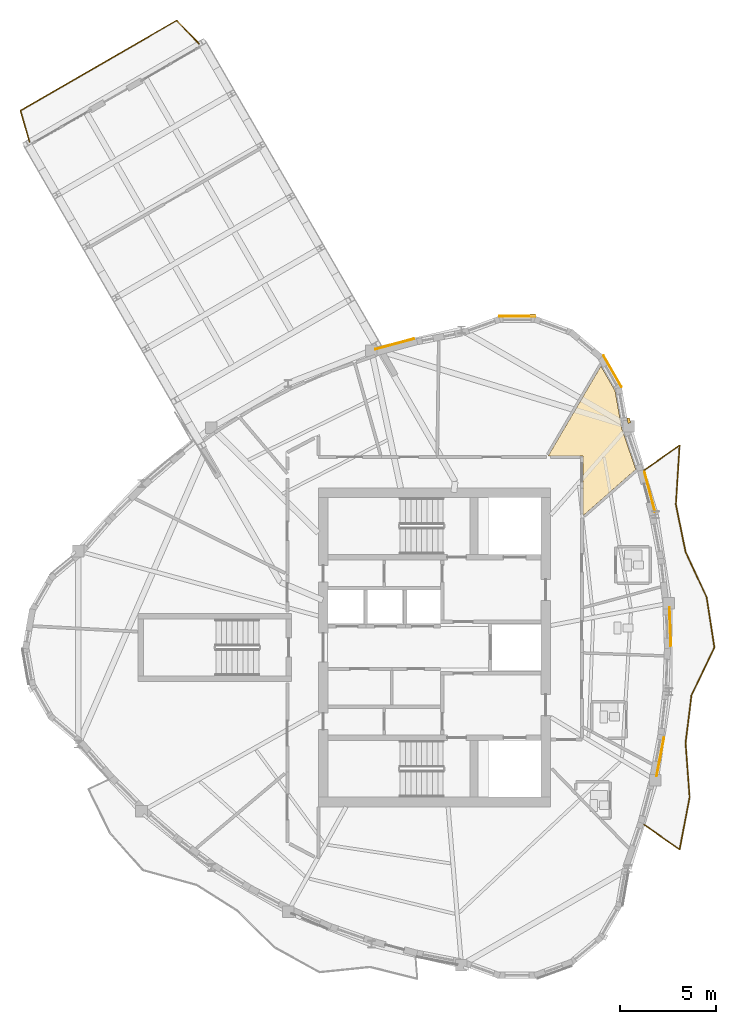
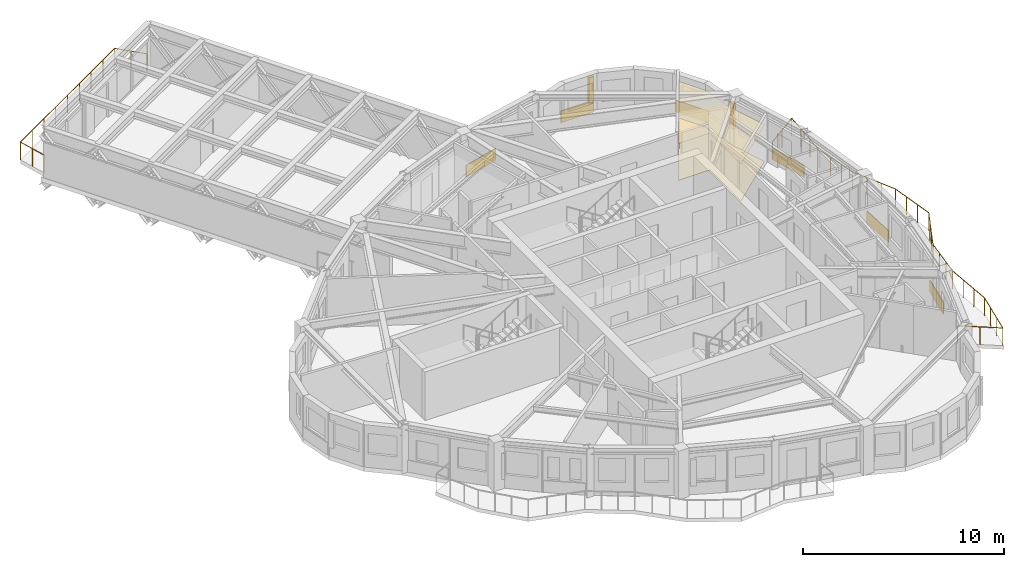
# One storey, part 13 of 14: 8 coverings, 2 railings, 2 shading devices.
"""IFC4 building model written with IfcOpenShell, lengths in metres."""

import ifcopenshell
import ifcopenshell.guid

model = None  # the IFC model being written
_history = None  # IfcOwnerHistory: only IFC2X3 demands one
_inside = {}  # id of a spatial element -> (the spatial element, [elements in it])
_under = {}  # id of a project, library or spatial element -> (it, [spatial elements below it])
_declared = {}  # id of a project -> (the project, [libraries it declares])
_typed = {}  # id of a type object -> (the type object, [elements of that type])
_made_of = {}  # id of a material, layer set ... -> (it, [elements and type objects made of it])


def new_model(schema):
    """Start an empty IFC model of exactly this schema.

    Asked for "IFC4X3", IfcOpenShell would pick the latest addendum, in which some entities
    have other attributes; the version numbers below select the first issue.
    IFC2X3 requires an IfcOwnerHistory on every rooted entity: one is made here for all.
    """
    global model, _history
    if schema == "IFC4X3":
        model = ifcopenshell.file(schema_version=(4, 3, 0, 0))
    else:
        model = ifcopenshell.file(schema=schema)
    _inside.clear()
    _under.clear()
    _declared.clear()
    _typed.clear()
    _made_of.clear()
    _history = None
    if model.schema == "IFC2X3":
        org = make("IfcOrganization", Name="unknown")
        user = make(
            "IfcPersonAndOrganization",
            ThePerson=make("IfcPerson", FamilyName="unknown"),
            TheOrganization=org,
        )
        app = make(
            "IfcApplication",
            ApplicationDeveloper=org,
            Version="unknown",
            ApplicationFullName="unknown",
            ApplicationIdentifier="unknown",
        )
        _history = make(
            "IfcOwnerHistory",
            OwningUser=user,
            OwningApplication=app,
            ChangeAction="ADDED",
            CreationDate=0,
        )
    return model


def make(cls, **values):
    """One entity of the class cls with the attributes given. An attribute that is None is left unset."""
    return model.create_entity(
        cls, **{name: value for name, value in values.items() if value is not None}
    )


def rooted(cls, **values):
    """An entity with a GlobalId (a new one), such as an element, a storey or a relation."""
    return make(cls, GlobalId=ifcopenshell.guid.new(), OwnerHistory=_history, **values)


def si_unit(unit_type, name, prefix=None):
    """IfcSIUnit, for example si_unit("LENGTHUNIT", "METRE", prefix="MILLI")."""
    return make("IfcSIUnit", UnitType=unit_type, Prefix=prefix, Name=name)


def assignment(units):
    """IfcUnitAssignment: the units of a project."""
    return None if units is None else make("IfcUnitAssignment", Units=units)


def point(xyz):
    """IfcCartesianPoint."""
    return None if xyz is None else make("IfcCartesianPoint", Coordinates=xyz)


def direction(xyz):
    """IfcDirection."""
    return None if xyz is None else make("IfcDirection", DirectionRatios=xyz)


def frame(location, z_axis=None, x_axis=None):
    """IfcAxis2Placement3D, a coordinate frame: its origin and axes. An axis left out is left unset."""
    return make(
        "IfcAxis2Placement3D",
        Location=point(location),
        Axis=direction(z_axis),
        RefDirection=direction(x_axis),
    )


def frame_2d(location, x_axis=None):
    """IfcAxis2Placement2D, a coordinate frame in the plane: its origin and x axis."""
    return make(
        "IfcAxis2Placement2D", Location=point(location), RefDirection=direction(x_axis)
    )


def origin():
    """The frame at (0, 0, 0) with its axes left unset."""
    return frame((0.0, 0.0, 0.0))


def origin_2d():
    """The frame at (0, 0) in the plane with its x axis left unset."""
    return frame_2d((0.0, 0.0))


def place(relative_to, where):
    """IfcLocalPlacement: puts the frame where relative to a parent placement (None: the world)."""
    return make(
        "IfcLocalPlacement", PlacementRelTo=relative_to, RelativePlacement=where
    )


def context(
    kind, dimensions, precision=None, world=None, true_north=None, identifier=None
):
    """IfcGeometricRepresentationContext, for example the 3D "Model" context."""
    return make(
        "IfcGeometricRepresentationContext",
        ContextIdentifier=identifier,
        ContextType=kind,
        CoordinateSpaceDimension=dimensions,
        Precision=precision,
        WorldCoordinateSystem=world,
        TrueNorth=true_north,
    )


def subcontext(parent, identifier, kind, view, scale=None):
    """IfcGeometricRepresentationSubContext, for example "Body" below "Model"."""
    return make(
        "IfcGeometricRepresentationSubContext",
        ContextIdentifier=identifier,
        ContextType=kind,
        ParentContext=parent,
        TargetScale=scale,
        TargetView=view,
    )


def project(units=None, contexts=None):
    """IfcProject with its units and contexts."""
    return rooted(
        "IfcProject",
        Name="project",
        RepresentationContexts=contexts,
        UnitsInContext=assignment(units),
    )


def spatial(cls, under=None, at=None, **own):
    """A site, building, storey or space (cls), placed at a placement, below another one or the project."""
    s = rooted(cls, ObjectPlacement=at, **own)
    if under is not None:
        _under.setdefault(under.id(), (under, []))[1].append(s)
    return s


def polyline(points):
    """IfcPolyline through the points."""
    return make("IfcPolyline", Points=[point(p) for p in points])


def profile(cls, at=None, kind="AREA", **sizes):
    """A parametric profile (cls). Its sizes go by their IFC names, for example OverallWidth=200.0."""
    return make(cls, ProfileType=kind, Position=at, **sizes)


def rectangle(**sizes):
    """IfcRectangleProfileDef."""
    return profile("IfcRectangleProfileDef", **sizes)


def circle(**sizes):
    """IfcCircleProfileDef."""
    return profile("IfcCircleProfileDef", **sizes)


def outline(outer, holes=None, kind="AREA"):
    """IfcArbitraryClosedProfileDef: a profile drawn as a closed curve; with holes, ...WithVoids."""
    if holes is None:
        return make("IfcArbitraryClosedProfileDef", ProfileType=kind, OuterCurve=outer)
    return make(
        "IfcArbitraryProfileDefWithVoids",
        ProfileType=kind,
        OuterCurve=outer,
        InnerCurves=holes,
    )


def extrude(swept, where, along, depth):
    """IfcExtrudedAreaSolid: the profile swept, set in the frame where, extruded along a direction by depth."""
    return make(
        "IfcExtrudedAreaSolid",
        SweptArea=swept,
        Position=where,
        ExtrudedDirection=direction(along),
        Depth=depth,
    )


def shape(context_of_items, identifier, shape_type, items):
    """IfcShapeRepresentation: the items that make up one representation, for example the "Body"."""
    return make(
        "IfcShapeRepresentation",
        ContextOfItems=context_of_items,
        RepresentationIdentifier=identifier,
        RepresentationType=shape_type,
        Items=items,
    )


def source(mapping_origin, context_of_items, identifier, shape_type, items):
    """IfcRepresentationMap: a shape defined once, which mapped items show again and again."""
    return make(
        "IfcRepresentationMap",
        MappingOrigin=mapping_origin,
        MappedRepresentation=shape(context_of_items, identifier, shape_type, items),
    )


def transform(
    local_origin,
    x_axis=None,
    y_axis=None,
    z_axis=None,
    scale=None,
    scale2=None,
    scale3=None,
    uniform=True,
):
    """IfcCartesianTransformationOperator3D, or its non-uniform kind. x_axis, y_axis, z_axis: its Axis1, 2, 3."""
    if uniform:
        return make(
            "IfcCartesianTransformationOperator3D",
            Axis1=direction(x_axis),
            Axis2=direction(y_axis),
            LocalOrigin=point(local_origin),
            Scale=scale,
            Axis3=direction(z_axis),
        )
    return make(
        "IfcCartesianTransformationOperator3DnonUniform",
        Axis1=direction(x_axis),
        Axis2=direction(y_axis),
        LocalOrigin=point(local_origin),
        Scale=scale,
        Axis3=direction(z_axis),
        Scale2=scale2,
        Scale3=scale3,
    )


def mapped(mapping_source, mapping_target):
    """IfcMappedItem: shows the shape of a source again, moved by a transform."""
    return make(
        "IfcMappedItem", MappingSource=mapping_source, MappingTarget=mapping_target
    )


def material(Name=None, Category=None):
    """IfcMaterial."""
    return make("IfcMaterial", Name=Name, Category=Category)


def layer(
    of_material, thickness, ventilated=None, Name=None, Category=None, Priority=None
):
    """IfcMaterialLayer: one layer of a wall or slab, of a material (None: an air gap)."""
    return make(
        "IfcMaterialLayer",
        Material=of_material,
        LayerThickness=thickness,
        IsVentilated=ventilated,
        Name=Name,
        Category=Category,
        Priority=Priority,
    )


def layer_set(layers, Name=None):
    """IfcMaterialLayerSet."""
    return make("IfcMaterialLayerSet", MaterialLayers=layers, LayerSetName=Name)


def made_of(thing, what):
    """Note that an element or type object is made of a material, layer set ...; save() writes the relation."""
    if what is not None:
        _made_of.setdefault(what.id(), (what, []))[1].append(thing)
    return thing


def type_object(cls, material=None, **own):
    """A type object (cls), such as IfcWallType, which elements share."""
    return made_of(rooted(cls, **own), material)


def element(
    cls,
    number,
    at=None,
    inside=None,
    cuts=None,
    type_object=None,
    material=None,
    context=None,
    identifier="Body",
    shape_type=None,
    held_by="IfcProductDefinitionShape",
    body=None,
    shapes=None,
    **own,
):
    """One element of the class cls, such as IfcWall. Its Tag is "e" and its number.

    at: its placement. inside: the storey or other place that contains it. cuts: it is an
    opening in that element (IfcRelVoidsElement). A single representation is given by context,
    identifier, shape_type and body (its items); several are given by shapes. held_by: the class
    of the entity that holds the representations. save() writes the other relations.
    """
    e = rooted(cls, Tag="e%d" % number, ObjectPlacement=at, **own)
    if body is not None:
        shapes = [shape(context, identifier, shape_type, body)]
    if shapes is not None:
        e.Representation = make(held_by, Representations=shapes)
    if inside is not None:
        _inside.setdefault(inside.id(), (inside, []))[1].append(e)
    if cuts is not None:
        rooted(
            "IfcRelVoidsElement", RelatingBuildingElement=cuts, RelatedOpeningElement=e
        )
    if type_object is not None:
        _typed.setdefault(type_object.id(), (type_object, []))[1].append(e)
    return made_of(e, material)


def aggregate(whole, parts):
    """IfcRelAggregates: a whole, such as a stair, and the parts it consists of."""
    return rooted("IfcRelAggregates", RelatingObject=whole, RelatedObjects=parts)


def save(model, path):
    """Write the relations noted so far, then the file.

    IfcRelAggregates (storeys below a building ...), IfcRelContainedInSpatialStructure (elements
    in a storey), IfcRelDefinesByType, IfcRelAssociatesMaterial and IfcRelDeclares: one each for
    every whole, place, type object, material and project.
    """
    for whole, parts in _under.values():
        aggregate(whole, parts)
    for where, things in _inside.values():
        rooted(
            "IfcRelContainedInSpatialStructure",
            RelatedElements=things,
            RelatingStructure=where,
        )
    for kind, things in _typed.values():
        rooted("IfcRelDefinesByType", RelatedObjects=things, RelatingType=kind)
    for what, things in _made_of.values():
        rooted("IfcRelAssociatesMaterial", RelatedObjects=things, RelatingMaterial=what)
    for by, libraries in _declared.values():
        rooted("IfcRelDeclares", RelatingContext=by, RelatedDefinitions=libraries)
    model.write(path)


model = new_model("IFC4")

# Units and contexts
model_context = context("Model", 3, precision=1e-05, world=origin(), true_north=direction((0.0, 1.0)))
body_context = subcontext(model_context, "Body", "Model", "MODEL_VIEW")
ifc_project = project(units=[si_unit("LENGTHUNIT", "METRE"), si_unit("AREAUNIT", "SQUARE_METRE"), si_unit("VOLUMEUNIT", "CUBIC_METRE"), si_unit("PLANEANGLEUNIT", "RADIAN"), si_unit("MASSUNIT", "GRAM", prefix="KILO")], contexts=[model_context])

# Site, building, storey
site_placement = place(None, origin())
site = spatial("IfcSite", under=ifc_project, at=site_placement, CompositionType="ELEMENT")
building_placement = place(site_placement, origin())
building = spatial("IfcBuilding", under=site, at=building_placement, Name="Qafzar Sky-Pleat Residences", CompositionType="ELEMENT")
storey_placement = place(building_placement, frame((0.0, 0.0, 211.60009765625)))
storey = spatial("IfcBuildingStorey", under=building, at=storey_placement, Name="L63", CompositionType="ELEMENT", Elevation=211.60009765625)

# Coverings
ifc_material_1 = material(Name="Perforated acoustic gypsum board ceiling")
ifc_layer_1 = layer(ifc_material_1, 0.02001953125)
ifc_layer_set_1 = layer_set([ifc_layer_1], Name="Perforated acoustic gypsum board ceiling")
covering_type_1 = type_object("IfcCoveringType", Name="COV-CEIL-ACOUSTIC", PredefinedType="CEILING", material=ifc_layer_set_1)
covering_1_placement = place(storey_placement, frame((0.0, 0.0, 2.239990234375)))
element("IfcCovering", 1, at=covering_1_placement, inside=storey, type_object=covering_type_1, Name="L63 Communal Kitchen Acoustic Ceiling", PredefinedType="CEILING", context=body_context, shape_type="SweptSolid", body=[
    extrude(outline(polyline([(39.74951171875, 39.377685546875), (40.093017578125, 37.429931640625), (40.830810546875, 35.273193359375), (38.080078125, 32.860107421875), (38.080078125, 35.97998046875), (36.27490234375, 35.97998046875), (39.014892578125, 40.650390625), (39.74951171875, 39.377685546875)])), origin(), (0.0, 0.0, 1.0), 0.02001953125),
])
ifc_material_2 = material(Name="Honed porcelain and Riyadh stone tile flooring", Category="masonry")
ifc_layer_2 = layer(ifc_material_2, 0.02001953125)
ifc_layer_set_2 = layer_set([ifc_layer_2], Name="Honed porcelain and Riyadh stone tile flooring")
covering_type_2 = type_object("IfcCoveringType", Name="COV-FLR-PORCELAIN", PredefinedType="FLOORING", material=ifc_layer_set_2)
covering_2_placement = place(storey_placement, origin())
element("IfcCovering", 2, at=covering_2_placement, inside=storey, type_object=covering_type_2, Name="L63 Communal Kitchen Honed Stone Flooring", PredefinedType="FLOORING", context=body_context, shape_type="SweptSolid", body=[
    extrude(outline(polyline([(39.74951171875, 39.377685546875), (40.093017578125, 37.429931640625), (40.830810546875, 35.273193359375), (38.080078125, 32.860107421875), (38.080078125, 35.97998046875), (36.27490234375, 35.97998046875), (39.014892578125, 40.650390625), (39.74951171875, 39.377685546875)])), origin(), (0.0, 0.0, 1.0), 0.02001953125),
])

# Shading devices
ifc_material_3 = material(Name="Honed Riyadh limestone solar fin", Category="masonry")
ifc_layer_3 = layer(ifc_material_3, 0.139892578125)
ifc_layer_set_3 = layer_set([ifc_layer_3], Name="Honed Riyadh limestone solar fin")
shading_device_type = type_object("IfcShadingDeviceType", Name="SHD-FIN-STONE", PredefinedType="SHUTTER", material=ifc_layer_set_3)
shared_shape_1 = source(origin(), body_context, "Body", "SweptSolid", [
    extrude(rectangle(XDim=0.139892578125, YDim=0.280029296875, at=origin_2d()), origin(), (0.0, 0.0, 1.0), 1.60009765625),
])
for number, where, z_axis, x_axis, name in (
    (3, (40.466796875, 37.815673828125, 0.599853515625), (0.0, 0.0, 1.0), (0.984806040716, 0.173657888303, 0.0), "L63 Limestone Solar Fin 33"),
    (4, (35.45751953125, 43.29931640625, 0.599853515625), (0.0, 0.0, 1.0), (0.0, 1.0, 0.0), "L63 Limestone Solar Fin 37"),
):
    element("IfcShadingDevice", number, at=place(storey_placement, frame(where, z_axis=z_axis, x_axis=x_axis)), inside=storey, type_object=shading_device_type, Name=name, PredefinedType="SHUTTER", context=body_context, shape_type="MappedRepresentation", body=[
        mapped(shared_shape_1, transform((0.0, 0.0, 0.0), x_axis=(1.0, 0.0, 0.0), y_axis=(0.0, 1.0, 0.0), z_axis=(0.0, 0.0, 1.0), scale=1.0)),
    ])

# Coverings
ifc_material_4 = material(Name="Honed Riyadh Tuwaiq limestone cladding", Category="masonry")
ifc_layer_4 = layer(ifc_material_4, 0.044921875)
ifc_layer_set_4 = layer_set([ifc_layer_4], Name="Honed Riyadh Tuwaiq limestone cladding")
covering_type_3 = type_object("IfcCoveringType", Name="COV-CLAD-STONE", PredefinedType="CLADDING", material=ifc_layer_set_4)
shared_shape_2 = source(origin(), body_context, "Body", "SweptSolid", [
    extrude(rectangle(XDim=1.88134765625, YDim=0.044921875, at=origin_2d()), origin(), (0.0, 0.0, 1.0), 0.719970703125),
])
covering_3_placement = place(storey_placement, frame((34.652587890625, 43.25634765625, 0.02001953125), z_axis=(0.0, 0.0, 1.0), x_axis=(-1.0, 0.0, 0.0)))
element("IfcCovering", 5, at=covering_3_placement, inside=storey, type_object=covering_type_3, Name="L63 Riyadh Limestone Spandrel Cladding 37", PredefinedType="CLADDING", context=body_context, shape_type="MappedRepresentation", body=[
    mapped(shared_shape_2, transform((0.0, 0.0, 0.0), x_axis=(1.0, 0.0, 0.0), y_axis=(0.0, 1.0, 0.0), z_axis=(0.0, 0.0, 1.0), scale=1.0)),
])
shared_shape_3 = source(origin(), body_context, "Body", "SweptSolid", [
    extrude(rectangle(XDim=1.881103515625, YDim=0.044921875, at=origin_2d()), origin(), (0.0, 0.0, 1.0), 0.719970703125),
])
covering_4_placement = place(storey_placement, frame((39.6181640625, 40.389404296875, 0.02001953125), z_axis=(0.0, 0.0, 1.0), x_axis=(-0.499993018474, 0.866029434533, 0.0)))
element("IfcCovering", 6, at=covering_4_placement, inside=storey, type_object=covering_type_3, Name="L63 Riyadh Limestone Spandrel Cladding 34", PredefinedType="CLADDING", context=body_context, shape_type="MappedRepresentation", body=[
    mapped(shared_shape_3, transform((0.0, 0.0, 0.0), x_axis=(1.0, 0.0, 0.0), y_axis=(0.0, 1.0, 0.0), z_axis=(0.0, 0.0, 1.0), scale=1.0)),
])

# Railing
ifc_material_5 = material(Name="Laminated glass and bronze steel balustrade", Category="steel")
railing_type = type_object("IfcRailingType", Name="RAIL-BAL-1100", PredefinedType="BALUSTRADE", material=ifc_material_5)
shared_shape_4 = source(origin(), body_context, "Body", "SweptSolid", [
    extrude(circle(Radius=0.02392578125, at=origin_2d()), frame((0.0, 0.0, 1.076171875), z_axis=(0.820699148527, -0.571360575825, 0.0), x_axis=(0.571360575825, 0.820699148527, 0.0)), (0.0, 0.0, 1.0), 2.270751953125),
    extrude(circle(Radius=0.02392578125, at=origin_2d()), frame((1.863525390625, -1.29736328125, 1.076171875), z_axis=(0.187853347228, 0.982197088132, 0.0), x_axis=(-0.982197088132, 0.187853347228, 0.0)), (0.0, 0.0, 1.0), 2.76953125),
    extrude(circle(Radius=0.02392578125, at=origin_2d()), frame((2.3837890625, 1.4228515625, 1.076171875), z_axis=(-0.074134926402, 0.997248220198, 0.0), x_axis=(-0.997248220198, -0.074134926402, 0.0)), (0.0, 0.0, 1.0), 2.83544921875),
    extrude(circle(Radius=0.02392578125, at=origin_2d()), frame((2.173583984375, 4.25048828125, 1.076171875), z_axis=(0.122041359786, 0.992525015555, 0.0), x_axis=(-0.992525015555, 0.122041359786, 0.0)), (0.0, 0.0, 1.0), 2.502685546875),
    extrude(circle(Radius=0.02392578125, at=origin_2d()), frame((2.47900390625, 6.734375, 1.076171875), z_axis=(0.43262475459, 0.901574079994, 0.0), x_axis=(-0.901574079994, 0.43262475459, 0.0)), (0.0, 0.0, 1.0), 2.762451171875),
    extrude(circle(Radius=0.02392578125, at=origin_2d()), frame((3.674072265625, 9.224853515625, 1.076171875), z_axis=(-0.152930452608, 0.988236953703, 0.0), x_axis=(-0.988236953703, -0.152930452608, 0.0)), (0.0, 0.0, 1.0), 2.64697265625),
    extrude(circle(Radius=0.02392578125, at=origin_2d()), frame((3.269287109375, 11.840576171875, 1.076171875), z_axis=(-0.421307122225, 0.906918027587, 0.0), x_axis=(-0.906918027587, -0.421307122225, 0.0)), (0.0, 0.0, 1.0), 2.600830078125),
    extrude(circle(Radius=0.02392578125, at=origin_2d()), frame((2.173583984375, 14.19921875, 1.076171875), z_axis=(-0.200508172089, 0.979692029633, 0.0), x_axis=(-0.979692029633, -0.200508172089, 0.0)), (0.0, 0.0, 1.0), 2.521728515625),
    extrude(circle(Radius=0.02392578125, at=origin_2d()), frame((1.66796875, 16.669677734375, 1.076171875), z_axis=(0.06341829545, 0.997987033885, 0.0), x_axis=(-0.997987033885, 0.06341829545, 0.0)), (0.0, 0.0, 1.0), 3.08349609375),
    extrude(circle(Radius=0.02392578125, at=origin_2d()), frame((1.863525390625, 19.7470703125, 1.076171875), z_axis=(-0.820699148527, -0.571360575825, 0.0), x_axis=(0.571360575825, -0.820699148527, 0.0)), (0.0, 0.0, 1.0), 2.270751953125),
    extrude(circle(Radius=0.02099609375, at=origin_2d()), origin(), (0.0, 0.0, 1.0), 1.052001953125),
    extrude(circle(Radius=0.02099609375, at=origin_2d()), frame((0.931640625, -0.648681640625, 0.0)), (0.0, 0.0, 1.0), 1.052001953125),
    extrude(circle(Radius=0.02099609375, at=origin_2d()), frame((1.863525390625, -1.29736328125, 0.0)), (0.0, 0.0, 1.0), 1.052001953125),
    extrude(circle(Radius=0.02099609375, at=origin_2d()), frame((2.036865234375, -0.390625, 0.0)), (0.0, 0.0, 1.0), 1.052001953125),
    extrude(circle(Radius=0.02099609375, at=origin_2d()), frame((2.21044921875, 0.51611328125, 0.0)), (0.0, 0.0, 1.0), 1.052001953125),
    extrude(circle(Radius=0.02099609375, at=origin_2d()), frame((2.3837890625, 1.4228515625, 0.0)), (0.0, 0.0, 1.0), 1.052001953125),
    extrude(circle(Radius=0.02099609375, at=origin_2d()), frame((2.313720703125, 2.365478515625, 0.0)), (0.0, 0.0, 1.0), 1.052001953125),
    extrude(circle(Radius=0.02099609375, at=origin_2d()), frame((2.24365234375, 3.307861328125, 0.0)), (0.0, 0.0, 1.0), 1.052001953125),
    extrude(circle(Radius=0.02099609375, at=origin_2d()), frame((2.173583984375, 4.25048828125, 0.0)), (0.0, 0.0, 1.0), 1.052001953125),
    extrude(circle(Radius=0.02099609375, at=origin_2d()), frame((2.275390625, 5.078369140625, 0.0)), (0.0, 0.0, 1.0), 1.052001953125),
    extrude(circle(Radius=0.02099609375, at=origin_2d()), frame((2.377197265625, 5.906494140625, 0.0)), (0.0, 0.0, 1.0), 1.052001953125),
    extrude(circle(Radius=0.02099609375, at=origin_2d()), frame((2.47900390625, 6.734375, 0.0)), (0.0, 0.0, 1.0), 1.052001953125),
    extrude(circle(Radius=0.02099609375, at=origin_2d()), frame((2.87744140625, 7.564453125, 0.0)), (0.0, 0.0, 1.0), 1.052001953125),
    extrude(circle(Radius=0.02099609375, at=origin_2d()), frame((3.275634765625, 8.394775390625, 0.0)), (0.0, 0.0, 1.0), 1.052001953125),
    extrude(circle(Radius=0.02099609375, at=origin_2d()), frame((3.674072265625, 9.224853515625, 0.0)), (0.0, 0.0, 1.0), 1.052001953125),
    extrude(circle(Radius=0.02099609375, at=origin_2d()), frame((3.5390625, 10.0966796875, 0.0)), (0.0, 0.0, 1.0), 1.052001953125),
    extrude(circle(Radius=0.02099609375, at=origin_2d()), frame((3.404296875, 10.96875, 0.0)), (0.0, 0.0, 1.0), 1.052001953125),
    extrude(circle(Radius=0.02099609375, at=origin_2d()), frame((3.269287109375, 11.840576171875, 0.0)), (0.0, 0.0, 1.0), 1.052001953125),
    extrude(circle(Radius=0.02099609375, at=origin_2d()), frame((2.904052734375, 12.626708984375, 0.0)), (0.0, 0.0, 1.0), 1.052001953125),
    extrude(circle(Radius=0.02099609375, at=origin_2d()), frame((2.538818359375, 13.4130859375, 0.0)), (0.0, 0.0, 1.0), 1.052001953125),
    extrude(circle(Radius=0.02099609375, at=origin_2d()), frame((2.173583984375, 14.19921875, 0.0)), (0.0, 0.0, 1.0), 1.052001953125),
    extrude(circle(Radius=0.02099609375, at=origin_2d()), frame((2.005126953125, 15.022705078125, 0.0)), (0.0, 0.0, 1.0), 1.052001953125),
    extrude(circle(Radius=0.02099609375, at=origin_2d()), frame((1.83642578125, 15.84619140625, 0.0)), (0.0, 0.0, 1.0), 1.052001953125),
    extrude(circle(Radius=0.02099609375, at=origin_2d()), frame((1.66796875, 16.669677734375, 0.0)), (0.0, 0.0, 1.0), 1.052001953125),
    extrude(circle(Radius=0.02099609375, at=origin_2d()), frame((1.733154296875, 17.695556640625, 0.0)), (0.0, 0.0, 1.0), 1.052001953125),
    extrude(circle(Radius=0.02099609375, at=origin_2d()), frame((1.79833984375, 18.72119140625, 0.0)), (0.0, 0.0, 1.0), 1.052001953125),
    extrude(circle(Radius=0.02099609375, at=origin_2d()), frame((1.863525390625, 19.7470703125, 0.0)), (0.0, 0.0, 1.0), 1.052001953125),
    extrude(circle(Radius=0.02099609375, at=origin_2d()), frame((0.931640625, 19.098388671875, 0.0)), (0.0, 0.0, 1.0), 1.052001953125),
    extrude(circle(Radius=0.02099609375, at=origin_2d()), frame((0.0, 18.44970703125, 0.0)), (0.0, 0.0, 1.0), 1.052001953125),
])
railing_1_placement = place(storey_placement, frame((41.25048828125, 16.775146484375, 0.0)))
element("IfcRailing", 7, at=railing_1_placement, inside=storey, type_object=railing_type, Name="L63 Pleated Balcony 1 Balustrade", PredefinedType="BALUSTRADE", context=body_context, shape_type="MappedRepresentation", body=[
    mapped(shared_shape_4, transform((0.0, 0.0, 0.0), x_axis=(1.0, 0.0, 0.0), y_axis=(0.0, 1.0, 0.0), z_axis=(0.0, 0.0, 1.0), scale=1.0)),
])

# Coverings
shared_shape_5 = source(origin(), body_context, "Body", "SweptSolid", [
    extrude(rectangle(XDim=2.064453125, YDim=0.044921875, at=origin_2d()), origin(), (0.0, 0.0, 1.0), 0.719970703125),
])
covering_5_placement = place(storey_placement, frame((42.106201171875, 20.297607421875, 0.02001953125), z_axis=(0.0, 0.0, 1.0), x_axis=(0.186683368003, 0.982420134215, 0.0)))
element("IfcCovering", 8, at=covering_5_placement, inside=storey, type_object=covering_type_3, Name="L63 Riyadh Limestone Spandrel Cladding 25", PredefinedType="CLADDING", context=body_context, shape_type="MappedRepresentation", body=[
    mapped(shared_shape_5, transform((0.0, 0.0, 0.0), x_axis=(1.0, 0.0, 0.0), y_axis=(0.0, 1.0, 0.0), z_axis=(0.0, 0.0, 1.0), scale=1.0)),
])
shared_shape_6 = source(origin(), body_context, "Body", "SweptSolid", [
    extrude(rectangle(XDim=2.02880859375, YDim=0.044921875, at=origin_2d()), origin(), (0.0, 0.0, 1.0), 0.719970703125),
])
covering_6_placement = place(storey_placement, frame((42.622314453125, 27.089111328125, 0.02001953125), z_axis=(0.0, 0.0, 1.0), x_axis=(-0.038017422294, 0.999277076492, 0.0)))
element("IfcCovering", 9, at=covering_6_placement, inside=storey, type_object=covering_type_3, Name="L63 Riyadh Limestone Spandrel Cladding 28", PredefinedType="CLADDING", context=body_context, shape_type="MappedRepresentation", body=[
    mapped(shared_shape_6, transform((0.0, 0.0, 0.0), x_axis=(1.0, 0.0, 0.0), y_axis=(0.0, 1.0, 0.0), z_axis=(0.0, 0.0, 1.0), scale=1.0)),
])
shared_shape_7 = source(origin(), body_context, "Body", "SweptSolid", [
    extrude(rectangle(XDim=2.162353515625, YDim=0.044921875, at=origin_2d()), origin(), (0.0, 0.0, 1.0), 0.719970703125),
])
covering_7_placement = place(storey_placement, frame((41.560791015625, 34.099365234375, 0.02001953125), z_axis=(0.0, 0.0, 1.0), x_axis=(-0.257051236723, 0.966397776125, 0.0)))
element("IfcCovering", 10, at=covering_7_placement, inside=storey, type_object=covering_type_3, Name="L63 Riyadh Limestone Spandrel Cladding 31", PredefinedType="CLADDING", context=body_context, shape_type="MappedRepresentation", body=[
    mapped(shared_shape_7, transform((0.0, 0.0, 0.0), x_axis=(1.0, 0.0, 0.0), y_axis=(0.0, 1.0, 0.0), z_axis=(0.0, 0.0, 1.0), scale=1.0)),
])
shared_shape_8 = source(origin(), body_context, "Body", "SweptSolid", [
    extrude(rectangle(XDim=2.099365234375, YDim=0.044921875, at=origin_2d()), origin(), (0.0, 0.0, 1.0), 0.719970703125),
])
covering_8_placement = place(storey_placement, frame((28.267578125, 41.802978515625, 0.02001953125), z_axis=(0.0, 0.0, 1.0), x_axis=(-0.965457881236, -0.260559167101, 0.0)))
element("IfcCovering", 11, at=covering_8_placement, inside=storey, type_object=covering_type_3, Name="L63 Riyadh Limestone Spandrel Cladding 40", PredefinedType="CLADDING", context=body_context, shape_type="MappedRepresentation", body=[
    mapped(shared_shape_8, transform((0.0, 0.0, 0.0), x_axis=(1.0, 0.0, 0.0), y_axis=(0.0, 1.0, 0.0), z_axis=(0.0, 0.0, 1.0), scale=1.0)),
])

# Railing
shared_shape_9 = source(origin(), body_context, "Body", "SweptSolid", [
    extrude(circle(Radius=0.02392578125, at=origin_2d()), frame((0.0, 0.0, 1.076171875), z_axis=(-0.691489373031, 0.722386632618, 0.0), x_axis=(-0.722386632618, -0.691489373031, 0.0)), (0.0, 0.0, 1.0), 1.68310546875),
    extrude(circle(Radius=0.02392578125, at=origin_2d()), frame((-1.163818359375, 1.2158203125, 1.076171875), z_axis=(-0.866027286158, -0.499996739618, 0.0), x_axis=(0.499996739618, -0.866027286158, 0.0)), (0.0, 0.0, 1.0), 9.39990234375),
    extrude(circle(Radius=0.02392578125, at=origin_2d()), frame((-9.304443359375, -3.484130859375, 1.076171875), z_axis=(0.279793912061, -0.960060084981, 0.0), x_axis=(0.960060084981, 0.279793912061, 0.0)), (0.0, 0.0, 1.0), 1.68310546875),
    extrude(circle(Radius=0.02099609375, at=origin_2d()), origin(), (0.0, 0.0, 1.0), 1.052001953125),
    extrude(circle(Radius=0.02099609375, at=origin_2d()), frame((-0.58203125, 0.60791015625, 0.0)), (0.0, 0.0, 1.0), 1.052001953125),
    extrude(circle(Radius=0.02099609375, at=origin_2d()), frame((-1.163818359375, 1.2158203125, 0.0)), (0.0, 0.0, 1.0), 1.052001953125),
    extrude(circle(Radius=0.02099609375, at=origin_2d()), frame((-2.181396484375, 0.62841796875, 0.0)), (0.0, 0.0, 1.0), 1.052001953125),
    extrude(circle(Radius=0.02099609375, at=origin_2d()), frame((-3.198974609375, 0.040771484375, 0.0)), (0.0, 0.0, 1.0), 1.052001953125),
    extrude(circle(Radius=0.02099609375, at=origin_2d()), frame((-4.216552734375, -0.546630859375, 0.0)), (0.0, 0.0, 1.0), 1.052001953125),
    extrude(circle(Radius=0.02099609375, at=origin_2d()), frame((-5.234130859375, -1.13427734375, 0.0)), (0.0, 0.0, 1.0), 1.052001953125),
    extrude(circle(Radius=0.02099609375, at=origin_2d()), frame((-6.251708984375, -1.7216796875, 0.0)), (0.0, 0.0, 1.0), 1.052001953125),
    extrude(circle(Radius=0.02099609375, at=origin_2d()), frame((-7.269287109375, -2.30908203125, 0.0)), (0.0, 0.0, 1.0), 1.052001953125),
    extrude(circle(Radius=0.02099609375, at=origin_2d()), frame((-8.286865234375, -2.896728515625, 0.0)), (0.0, 0.0, 1.0), 1.052001953125),
    extrude(circle(Radius=0.02099609375, at=origin_2d()), frame((-9.304443359375, -3.484130859375, 0.0)), (0.0, 0.0, 1.0), 1.052001953125),
    extrude(circle(Radius=0.02099609375, at=origin_2d()), frame((-9.06884765625, -4.2919921875, 0.0)), (0.0, 0.0, 1.0), 1.052001953125),
    extrude(circle(Radius=0.02099609375, at=origin_2d()), frame((-8.83349609375, -5.10009765625, 0.0)), (0.0, 0.0, 1.0), 1.052001953125),
])
railing_2_placement = place(storey_placement, frame((18.084716796875, 57.444091796875, 0.0)))
element("IfcRailing", 12, at=railing_2_placement, inside=storey, type_object=railing_type, Name="L63 SB-5 Tip Observation Balcony Balustrade", PredefinedType="BALUSTRADE", context=body_context, shape_type="MappedRepresentation", body=[
    mapped(shared_shape_9, transform((0.0, 0.0, 0.0), x_axis=(1.0, 0.0, 0.0), y_axis=(0.0, 1.0, 0.0), z_axis=(0.0, 0.0, 1.0), scale=1.0)),
])

save(model, "model.ifc")
